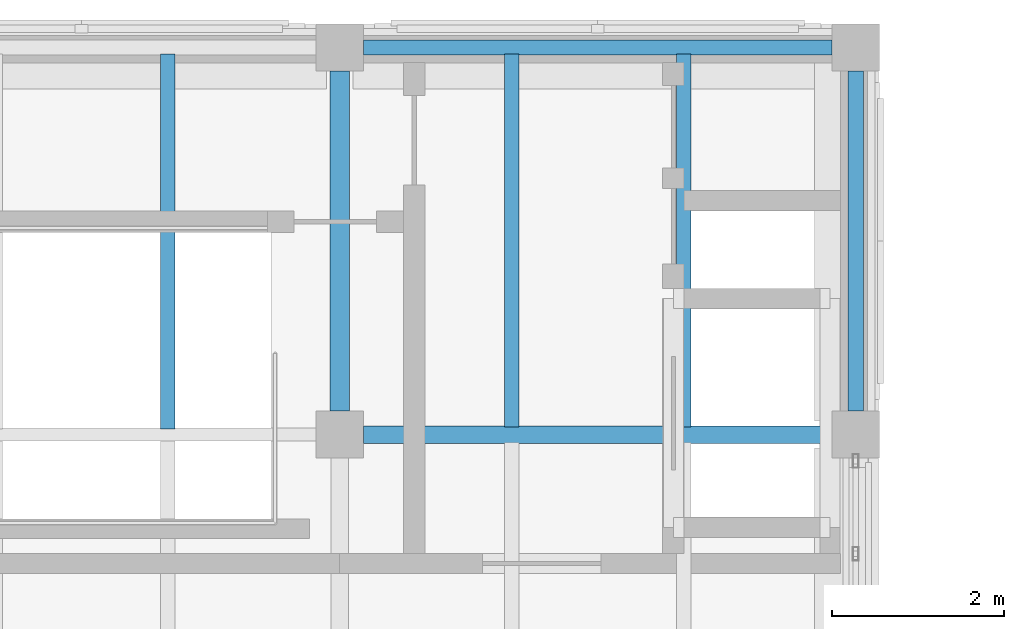
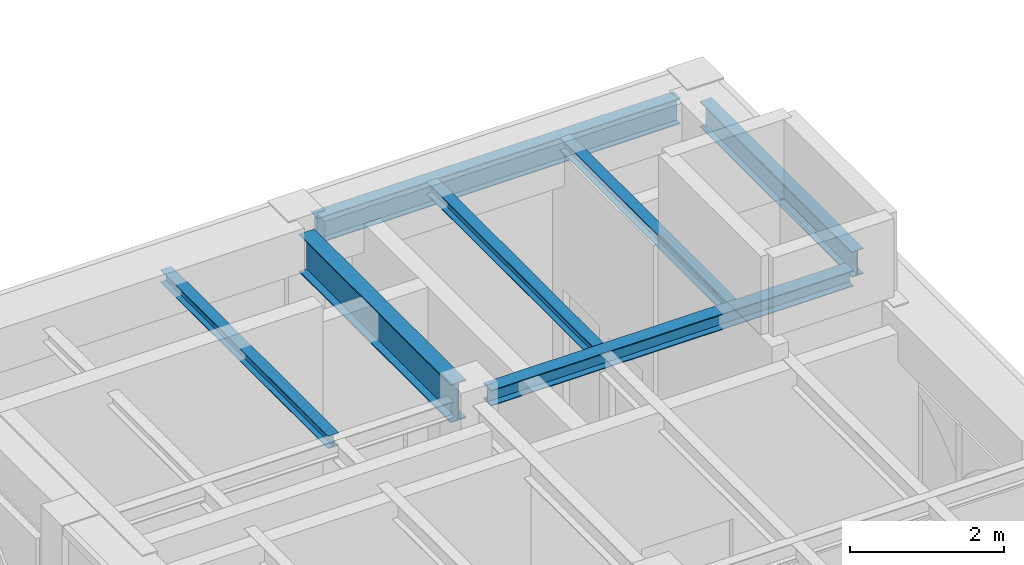
# One storey, part 21 of 108: 7 beams.
"""IFC4 building model written with IfcOpenShell, lengths in metres."""

from ifc_helpers import new_model, si_unit, direction, frame, origin, origin_2d, place, context, subcontext, project, spatial, i_section, extrude, material, material_profile, profile_set, type_object, element, save


model = new_model("IFC4")

# Units and contexts
model_context = context("Model", 3, precision=1e-05, world=origin(), true_north=direction((0.0, 1.0)))
body_context = subcontext(model_context, "Body", "Model", "MODEL_VIEW")
ifc_project = project(units=[si_unit("LENGTHUNIT", "METRE"), si_unit("AREAUNIT", "SQUARE_METRE"), si_unit("VOLUMEUNIT", "CUBIC_METRE"), si_unit("PLANEANGLEUNIT", "RADIAN"), si_unit("MASSUNIT", "GRAM", prefix="KILO")], contexts=[model_context])

# Site, building, storey
site_placement = place(None, origin())
site = spatial("IfcSite", under=ifc_project, at=site_placement, CompositionType="ELEMENT")
building_placement = place(site_placement, origin())
building = spatial("IfcBuilding", under=site, at=building_placement, Name="Cumevento Cable Car Station", CompositionType="ELEMENT")
storey_placement = place(building_placement, frame((0.0, 0.0, 13.5)))
storey = spatial("IfcBuildingStorey", under=building, at=storey_placement, Name="L04", CompositionType="ELEMENT", Elevation=13.5)

# Beams
ifc_material_1 = material(Name="Steel ASTM A572 Grade 50", Category="steel")
ifc_material_profile_1 = material_profile(ifc_material_1, i_section(OverallWidth=0.22802734375, OverallDepth=0.60791015625, WebThickness=0.01123046875, FlangeThickness=0.017333984375, at=origin_2d()), Name="W610x113.0")
ifc_profile_set_1 = profile_set([ifc_material_profile_1], Name="Steel ASTM A572 Grade 50")
beam_type_1 = type_object("IfcBeamType", Name="Structural Beam BM-02 W610x113.0", PredefinedType="BEAM", material=ifc_profile_set_1)
beam_1_placement = place(storey_placement, frame((28.0, 61.77490234375, 3.946044921875), z_axis=(0.0, 1.0, 0.0), x_axis=(-1.0, 0.0, 0.0)))
element("IfcBeam", 1, at=beam_1_placement, inside=storey, type_object=beam_type_1, Name="Beam BM-02 L04 #1411", PredefinedType="BEAM", context=body_context, shape_type="SweptSolid", body=[
    extrude(i_section(OverallWidth=0.22802734375, OverallDepth=0.60791015625, WebThickness=0.01123046875, FlangeThickness=0.017333984375, at=origin_2d()), origin(), (0.0, 0.0, 1.0), 3.9501953125),
])
ifc_material_2 = material(Name="Steel ASTM A572 Grade 50", Category="steel")
ifc_material_profile_2 = material_profile(ifc_material_2, i_section(OverallWidth=0.202880859375, OverallDepth=0.251953125, WebThickness=0.008056640625, FlangeThickness=0.013427734375, at=origin_2d()), Name="W250x58.0")
ifc_profile_set_2 = profile_set([ifc_material_profile_2], Name="Steel ASTM A572 Grade 50")
beam_type_2 = type_object("IfcBeamType", Name="Structural Beam BM-08 W250x58.0", PredefinedType="BEAM", material=ifc_profile_set_2)
beam_2_placement = place(storey_placement, frame((28.27490234375, 61.5, 4.1240234375), z_axis=(1.0, 0.0, 0.0), x_axis=(0.0, 1.0, 0.0)))
element("IfcBeam", 2, at=beam_2_placement, inside=storey, type_object=beam_type_2, Name="Beam BM-08 L04 #1405", PredefinedType="BEAM", context=body_context, shape_type="SweptSolid", body=[
    extrude(i_section(OverallWidth=0.202880859375, OverallDepth=0.251953125, WebThickness=0.008056640625, FlangeThickness=0.013427734375, at=origin_2d()), origin(), (0.0, 0.0, 1.0), 5.4501953125),
])
ifc_material_3 = material(Name="Steel ASTM A572 Grade 50", Category="steel")
ifc_material_profile_3 = material_profile(ifc_material_3, i_section(OverallWidth=0.1650390625, OverallDepth=0.200927734375, WebThickness=0.006103515625, FlangeThickness=0.01025390625, at=origin_2d()), Name="W200x35.9")
ifc_profile_set_3 = profile_set([ifc_material_profile_3], Name="Steel ASTM A572 Grade 50")
beam_type_3 = type_object("IfcBeamType", Name="Structural Joist JS-04 W200x35.9", PredefinedType="JOIST", material=ifc_profile_set_3)
beam_3_placement = place(storey_placement, frame((26.0, 61.56201171875, 4.1494140625), z_axis=(0.0, 1.0, 0.0), x_axis=(-1.0, 0.0, 0.0)))
element("IfcBeam", 3, at=beam_3_placement, inside=storey, type_object=beam_type_3, Name="Composite Floor Joist JS-04 L04 #1534", PredefinedType="JOIST", context=body_context, shape_type="SweptSolid", body=[
    extrude(i_section(OverallWidth=0.1650390625, OverallDepth=0.200927734375, WebThickness=0.006103515625, FlangeThickness=0.01025390625, at=origin_2d()), origin(), (0.0, 0.0, 1.0), 4.361083984375),
])
for number, where, z_axis, x_axis, name in (
    (4, (30.0, 61.589599609375, 4.1494140625), (0.0, 1.0, 0.0), (-1.0, 0.0, 0.0), "Composite Floor Joist JS-04 L04 #1536"),
    (5, (32.0, 61.589599609375, 4.1494140625), (0.0, 1.0, 0.0), (-1.0, 0.0, 0.0), "Composite Floor Joist JS-04 L04 #1538"),
):
    element("IfcBeam", number, at=place(storey_placement, frame(where, z_axis=z_axis, x_axis=x_axis)), inside=storey, type_object=beam_type_3, Name=name, PredefinedType="JOIST", context=body_context, shape_type="SweptSolid", body=[
        extrude(i_section(OverallWidth=0.1650390625, OverallDepth=0.200927734375, WebThickness=0.006103515625, FlangeThickness=0.01025390625, at=origin_2d()), origin(), (0.0, 0.0, 1.0), 4.33349609375),
    ])
ifc_material_4 = material(Name="Steel ASTM A572 Grade 50", Category="steel")
ifc_material_profile_4 = material_profile(ifc_material_4, i_section(OverallWidth=0.177978515625, OverallDepth=0.406982421875, WebThickness=0.0078125, FlangeThickness=0.0126953125, at=origin_2d()), Name="W410x60.0")
ifc_profile_set_4 = profile_set([ifc_material_profile_4], Name="Steel ASTM A572 Grade 50")
beam_type_4 = type_object("IfcBeamType", Name="Structural Spandrel SP-01 W410x60.0", PredefinedType="SPANDREL", material=ifc_profile_set_4)
beam_4_placement = place(storey_placement, frame((28.27490234375, 66.0, 4.04638671875), z_axis=(1.0, 0.0, 0.0), x_axis=(0.0, 1.0, 0.0)))
element("IfcBeam", 6, at=beam_4_placement, inside=storey, type_object=beam_type_4, Name="Beam SP-01 L04 #1407", PredefinedType="SPANDREL", context=body_context, shape_type="SweptSolid", body=[
    extrude(i_section(OverallWidth=0.177978515625, OverallDepth=0.406982421875, WebThickness=0.0078125, FlangeThickness=0.0126953125, at=origin_2d()), origin(), (0.0, 0.0, 1.0), 5.4501953125),
])
beam_5_placement = place(storey_placement, frame((34.0, 61.77490234375, 4.04638671875), z_axis=(0.0, 1.0, 0.0), x_axis=(-1.0, 0.0, 0.0)))
element("IfcBeam", 7, at=beam_5_placement, inside=storey, type_object=beam_type_4, Name="Beam SP-01 L04 #1413", PredefinedType="SPANDREL", context=body_context, shape_type="SweptSolid", body=[
    extrude(i_section(OverallWidth=0.177978515625, OverallDepth=0.406982421875, WebThickness=0.0078125, FlangeThickness=0.0126953125, at=origin_2d()), origin(), (0.0, 0.0, 1.0), 3.9501953125),
])

save(model, "model.ifc")
